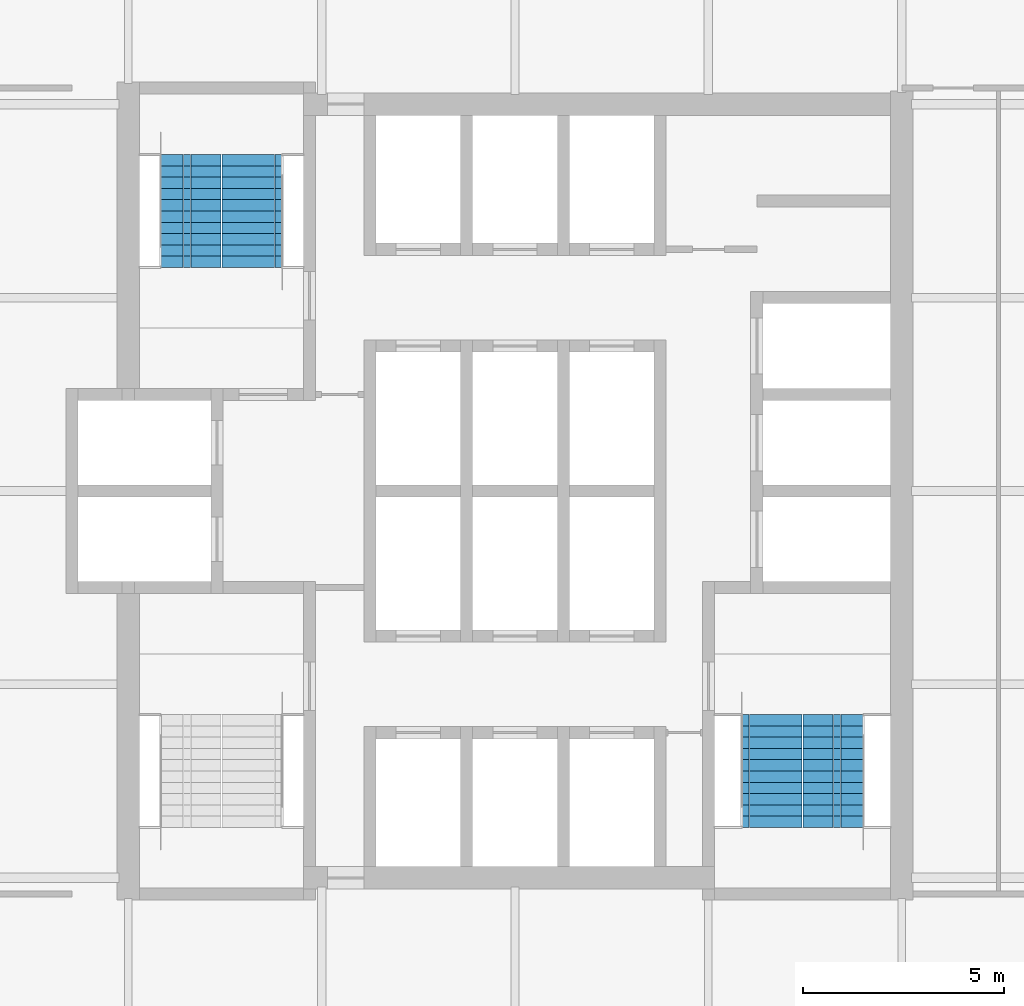
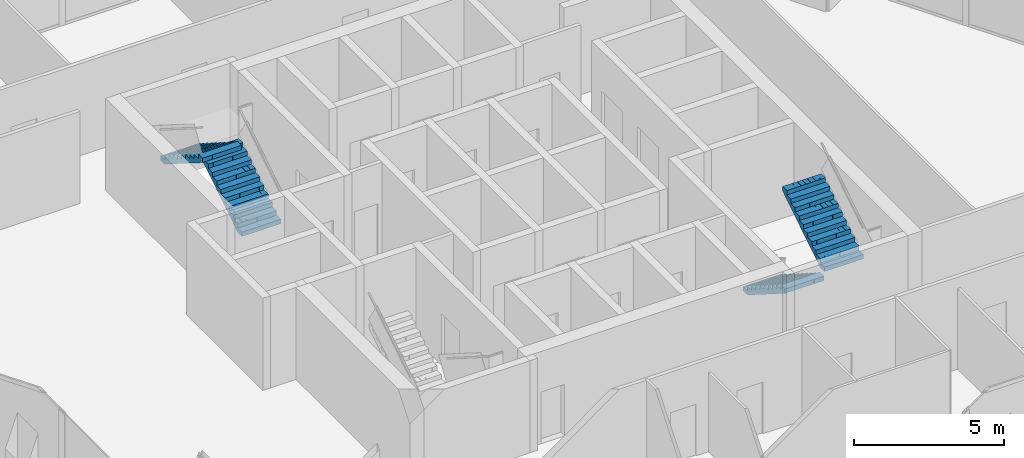
# One storey, part 11 of 13: 4 stair flights, 2 elements without a shape of their own.
"""IFC4 building model written with IfcOpenShell, lengths in metres."""

from ifc_helpers import new_model, si_unit, direction, frame, origin, place, context, subcontext, project, spatial, polyline, outline, extrude, material, type_object, element, aggregate, save


model = new_model("IFC4")

# Units and contexts
model_context = context("Model", 3, precision=1e-05, world=origin(), true_north=direction((0.0, 1.0)))
body_context = subcontext(model_context, "Body", "Model", "MODEL_VIEW")
ifc_project = project(units=[si_unit("LENGTHUNIT", "METRE"), si_unit("AREAUNIT", "SQUARE_METRE"), si_unit("VOLUMEUNIT", "CUBIC_METRE"), si_unit("PLANEANGLEUNIT", "RADIAN"), si_unit("MASSUNIT", "GRAM", prefix="KILO")], contexts=[model_context])

# Site, building, storey
site_placement = place(None, origin())
site = spatial("IfcSite", under=ifc_project, at=site_placement, CompositionType="ELEMENT")
building_placement = place(site_placement, origin())
building = spatial("IfcBuilding", under=site, at=building_placement, Name="Kolab Exchange Tower", CompositionType="ELEMENT")
storey_placement = place(building_placement, frame((0.0, 0.0, 257.89990234375)))
storey = spatial("IfcBuildingStorey", under=building, at=storey_placement, Name="L57", CompositionType="ELEMENT", Elevation=257.89990234375)

# Stair, stair flights
ifc_material = material(Name="Concrete C50/60", Category="concrete")
stair_type_1 = type_object("IfcStairType", Name="STAIR ST1 RISER 177.3", PredefinedType="HALF_TURN_STAIR", material=ifc_material)
stair_1_placement = place(storey_placement, origin())
stair_1 = element("IfcStair", 1, at=stair_1_placement, inside=storey, type_object=stair_type_1, Name="Stair 1", PredefinedType="HALF_TURN_STAIR")
stair_flight_type = type_object("IfcStairFlightType", Name="STAIR FLIGHT 1500 RISER 177.3", PredefinedType="STRAIGHT", material=ifc_material)
stair_flight_1_placement = place(storey_placement, frame((-6.527587890625, 5.550048828125, 0.0), z_axis=(0.0, 0.0, 1.0), x_axis=(0.0, 1.0, 0.0)))
stair_flight_1 = element("IfcStairFlight", 2, at=stair_flight_1_placement, type_object=stair_flight_type, Name="ST1 flight 1", NumberOfRisers=11, NumberOfTreads=10, PredefinedType="STRAIGHT", RiserHeight=0.177272727, TreadLength=0.28, context=body_context, shape_type="SweptSolid", body=[
    extrude(outline(polyline([(0.0, 0.0), (0.0, 0.17724609375), (0.280029296875, 0.17724609375), (0.280029296875, 0.3544921875), (0.56005859375, 0.3544921875), (0.56005859375, 0.53173828125), (0.840087890625, 0.53173828125), (0.840087890625, 0.708984375), (1.1201171875, 0.708984375), (1.1201171875, 0.886474609375), (1.39990234375, 0.886474609375), (1.39990234375, 1.063720703125), (1.679931640625, 1.063720703125), (1.679931640625, 1.240966796875), (1.9599609375, 1.240966796875), (1.9599609375, 1.418212890625), (2.239990234375, 1.418212890625), (2.239990234375, 1.595458984375), (2.52001953125, 1.595458984375), (2.52001953125, 1.772705078125), (2.800048828125, 1.772705078125), (2.800048828125, 1.949951171875), (2.800048828125, 1.59521484375), (0.2802734375, 0.0), (0.0, 0.0)])), frame((0.0, 0.75, 0.0), z_axis=(0.0, -1.0, 0.0), x_axis=(1.0, 0.0, 0.0)), (0.0, 0.0, 1.0), 0.185791015625),
    extrude(outline(polyline([(0.0, 0.0), (0.0, 0.17724609375), (0.280029296875, 0.17724609375), (0.280029296875, 0.3544921875), (0.56005859375, 0.3544921875), (0.56005859375, 0.53173828125), (0.840087890625, 0.53173828125), (0.840087890625, 0.708984375), (1.1201171875, 0.708984375), (1.1201171875, 0.886474609375), (1.39990234375, 0.886474609375), (1.39990234375, 1.063720703125), (1.679931640625, 1.063720703125), (1.679931640625, 1.240966796875), (1.9599609375, 1.240966796875), (1.9599609375, 1.418212890625), (2.239990234375, 1.418212890625), (2.239990234375, 1.595458984375), (2.52001953125, 1.595458984375), (2.52001953125, 1.772705078125), (2.800048828125, 1.772705078125), (2.800048828125, 1.949951171875), (2.800048828125, 1.59521484375), (0.2802734375, 0.0), (0.0, 0.0)])), frame((0.0, 0.562255859375, 0.0), z_axis=(0.0, -1.0, 0.0), x_axis=(1.0, 0.0, 0.0)), (0.0, 0.0, 1.0), 0.185791015625),
    extrude(outline(polyline([(0.0, 0.0), (0.0, 0.17724609375), (0.280029296875, 0.17724609375), (0.280029296875, 0.3544921875), (0.56005859375, 0.3544921875), (0.56005859375, 0.53173828125), (0.840087890625, 0.53173828125), (0.840087890625, 0.708984375), (1.1201171875, 0.708984375), (1.1201171875, 0.886474609375), (1.39990234375, 0.886474609375), (1.39990234375, 1.063720703125), (1.679931640625, 1.063720703125), (1.679931640625, 1.240966796875), (1.9599609375, 1.240966796875), (1.9599609375, 1.418212890625), (2.239990234375, 1.418212890625), (2.239990234375, 1.595458984375), (2.52001953125, 1.595458984375), (2.52001953125, 1.772705078125), (2.800048828125, 1.772705078125), (2.800048828125, 1.949951171875), (2.800048828125, 1.59521484375), (0.2802734375, 0.0), (0.0, 0.0)])), frame((0.0, 0.37451171875, 0.0), z_axis=(0.0, -1.0, 0.0), x_axis=(1.0, 0.0, 0.0)), (0.0, 0.0, 1.0), 0.185791015625),
    extrude(outline(polyline([(0.0, 0.0), (0.0, 0.17724609375), (0.280029296875, 0.17724609375), (0.280029296875, 0.3544921875), (0.56005859375, 0.3544921875), (0.56005859375, 0.53173828125), (0.840087890625, 0.53173828125), (0.840087890625, 0.708984375), (1.1201171875, 0.708984375), (1.1201171875, 0.886474609375), (1.39990234375, 0.886474609375), (1.39990234375, 1.063720703125), (1.679931640625, 1.063720703125), (1.679931640625, 1.240966796875), (1.9599609375, 1.240966796875), (1.9599609375, 1.418212890625), (2.239990234375, 1.418212890625), (2.239990234375, 1.595458984375), (2.52001953125, 1.595458984375), (2.52001953125, 1.772705078125), (2.800048828125, 1.772705078125), (2.800048828125, 1.949951171875), (2.800048828125, 1.59521484375), (0.2802734375, 0.0), (0.0, 0.0)])), frame((0.0, 0.186767578125, 0.0), z_axis=(0.0, -1.0, 0.0), x_axis=(1.0, 0.0, 0.0)), (0.0, 0.0, 1.0), 0.185791015625),
    extrude(outline(polyline([(0.0, 0.0), (0.0, 0.17724609375), (0.280029296875, 0.17724609375), (0.280029296875, 0.3544921875), (0.56005859375, 0.3544921875), (0.56005859375, 0.53173828125), (0.840087890625, 0.53173828125), (0.840087890625, 0.708984375), (1.1201171875, 0.708984375), (1.1201171875, 0.886474609375), (1.39990234375, 0.886474609375), (1.39990234375, 1.063720703125), (1.679931640625, 1.063720703125), (1.679931640625, 1.240966796875), (1.9599609375, 1.240966796875), (1.9599609375, 1.418212890625), (2.239990234375, 1.418212890625), (2.239990234375, 1.595458984375), (2.52001953125, 1.595458984375), (2.52001953125, 1.772705078125), (2.800048828125, 1.772705078125), (2.800048828125, 1.949951171875), (2.800048828125, 1.59521484375), (0.2802734375, 0.0), (0.0, 0.0)])), frame((0.0, -0.0009765625, 0.0), z_axis=(0.0, -1.0, 0.0), x_axis=(1.0, 0.0, 0.0)), (0.0, 0.0, 1.0), 0.185791015625),
    extrude(outline(polyline([(0.0, 0.0), (0.0, 0.17724609375), (0.280029296875, 0.17724609375), (0.280029296875, 0.3544921875), (0.56005859375, 0.3544921875), (0.56005859375, 0.53173828125), (0.840087890625, 0.53173828125), (0.840087890625, 0.708984375), (1.1201171875, 0.708984375), (1.1201171875, 0.886474609375), (1.39990234375, 0.886474609375), (1.39990234375, 1.063720703125), (1.679931640625, 1.063720703125), (1.679931640625, 1.240966796875), (1.9599609375, 1.240966796875), (1.9599609375, 1.418212890625), (2.239990234375, 1.418212890625), (2.239990234375, 1.595458984375), (2.52001953125, 1.595458984375), (2.52001953125, 1.772705078125), (2.800048828125, 1.772705078125), (2.800048828125, 1.949951171875), (2.800048828125, 1.59521484375), (0.2802734375, 0.0), (0.0, 0.0)])), frame((0.0, -0.188720703125, 0.0), z_axis=(0.0, -1.0, 0.0), x_axis=(1.0, 0.0, 0.0)), (0.0, 0.0, 1.0), 0.185791015625),
    extrude(outline(polyline([(0.0, 0.0), (0.0, 0.17724609375), (0.280029296875, 0.17724609375), (0.280029296875, 0.3544921875), (0.56005859375, 0.3544921875), (0.56005859375, 0.53173828125), (0.840087890625, 0.53173828125), (0.840087890625, 0.708984375), (1.1201171875, 0.708984375), (1.1201171875, 0.886474609375), (1.39990234375, 0.886474609375), (1.39990234375, 1.063720703125), (1.679931640625, 1.063720703125), (1.679931640625, 1.240966796875), (1.9599609375, 1.240966796875), (1.9599609375, 1.418212890625), (2.239990234375, 1.418212890625), (2.239990234375, 1.595458984375), (2.52001953125, 1.595458984375), (2.52001953125, 1.772705078125), (2.800048828125, 1.772705078125), (2.800048828125, 1.949951171875), (2.800048828125, 1.59521484375), (0.2802734375, 0.0), (0.0, 0.0)])), frame((0.0, -0.37646484375, 0.0), z_axis=(0.0, -1.0, 0.0), x_axis=(1.0, 0.0, 0.0)), (0.0, 0.0, 1.0), 0.185791015625),
    extrude(outline(polyline([(0.0, 0.0), (0.0, 0.17724609375), (0.280029296875, 0.17724609375), (0.280029296875, 0.3544921875), (0.56005859375, 0.3544921875), (0.56005859375, 0.53173828125), (0.840087890625, 0.53173828125), (0.840087890625, 0.708984375), (1.1201171875, 0.708984375), (1.1201171875, 0.886474609375), (1.39990234375, 0.886474609375), (1.39990234375, 1.063720703125), (1.679931640625, 1.063720703125), (1.679931640625, 1.240966796875), (1.9599609375, 1.240966796875), (1.9599609375, 1.418212890625), (2.239990234375, 1.418212890625), (2.239990234375, 1.595458984375), (2.52001953125, 1.595458984375), (2.52001953125, 1.772705078125), (2.800048828125, 1.772705078125), (2.800048828125, 1.949951171875), (2.800048828125, 1.59521484375), (0.2802734375, 0.0), (0.0, 0.0)])), frame((0.0, -0.564208984375, 0.0), z_axis=(0.0, -1.0, 0.0), x_axis=(1.0, 0.0, 0.0)), (0.0, 0.0, 1.0), 0.185791015625),
])
stair_flight_2_placement = place(storey_placement, frame((-8.047607421875, 8.35009765625, 1.9501953125), z_axis=(0.0, 0.0, 1.0), x_axis=(0.0, -1.0, 0.0)))
stair_flight_2 = element("IfcStairFlight", 3, at=stair_flight_2_placement, type_object=stair_flight_type, Name="ST1 flight 2", NumberOfRisers=11, NumberOfTreads=10, PredefinedType="STRAIGHT", RiserHeight=0.177272727, TreadLength=0.28, context=body_context, shape_type="SweptSolid", body=[
    extrude(outline(polyline([(0.0, 0.0), (0.0, 0.17724609375), (0.280029296875, 0.17724609375), (0.280029296875, 0.3544921875), (0.56005859375, 0.3544921875), (0.56005859375, 0.53173828125), (0.840087890625, 0.53173828125), (0.840087890625, 0.708984375), (1.1201171875, 0.708984375), (1.1201171875, 0.886474609375), (1.39990234375, 0.886474609375), (1.39990234375, 1.063720703125), (1.679931640625, 1.063720703125), (1.679931640625, 1.240966796875), (1.9599609375, 1.240966796875), (1.9599609375, 1.418212890625), (2.239990234375, 1.418212890625), (2.239990234375, 1.595458984375), (2.52001953125, 1.595458984375), (2.52001953125, 1.772705078125), (2.800048828125, 1.772705078125), (2.800048828125, 1.949951171875), (2.800048828125, 1.59521484375), (0.2802734375, 0.0), (0.0, 0.0)])), frame((0.0, 0.75, 0.0), z_axis=(0.0, -1.0, 0.0), x_axis=(1.0, 0.0, 0.0)), (0.0, 0.0, 1.0), 0.185791015625),
    extrude(outline(polyline([(0.0, 0.0), (0.0, 0.17724609375), (0.280029296875, 0.17724609375), (0.280029296875, 0.3544921875), (0.56005859375, 0.3544921875), (0.56005859375, 0.53173828125), (0.840087890625, 0.53173828125), (0.840087890625, 0.708984375), (1.1201171875, 0.708984375), (1.1201171875, 0.886474609375), (1.39990234375, 0.886474609375), (1.39990234375, 1.063720703125), (1.679931640625, 1.063720703125), (1.679931640625, 1.240966796875), (1.9599609375, 1.240966796875), (1.9599609375, 1.418212890625), (2.239990234375, 1.418212890625), (2.239990234375, 1.595458984375), (2.52001953125, 1.595458984375), (2.52001953125, 1.772705078125), (2.800048828125, 1.772705078125), (2.800048828125, 1.949951171875), (2.800048828125, 1.59521484375), (0.2802734375, 0.0), (0.0, 0.0)])), frame((0.0, 0.562255859375, 0.0), z_axis=(0.0, -1.0, 0.0), x_axis=(1.0, 0.0, 0.0)), (0.0, 0.0, 1.0), 0.185791015625),
    extrude(outline(polyline([(0.0, 0.0), (0.0, 0.17724609375), (0.280029296875, 0.17724609375), (0.280029296875, 0.3544921875), (0.56005859375, 0.3544921875), (0.56005859375, 0.53173828125), (0.840087890625, 0.53173828125), (0.840087890625, 0.708984375), (1.1201171875, 0.708984375), (1.1201171875, 0.886474609375), (1.39990234375, 0.886474609375), (1.39990234375, 1.063720703125), (1.679931640625, 1.063720703125), (1.679931640625, 1.240966796875), (1.9599609375, 1.240966796875), (1.9599609375, 1.418212890625), (2.239990234375, 1.418212890625), (2.239990234375, 1.595458984375), (2.52001953125, 1.595458984375), (2.52001953125, 1.772705078125), (2.800048828125, 1.772705078125), (2.800048828125, 1.949951171875), (2.800048828125, 1.59521484375), (0.2802734375, 0.0), (0.0, 0.0)])), frame((0.0, 0.37451171875, 0.0), z_axis=(0.0, -1.0, 0.0), x_axis=(1.0, 0.0, 0.0)), (0.0, 0.0, 1.0), 0.185791015625),
    extrude(outline(polyline([(0.0, 0.0), (0.0, 0.17724609375), (0.280029296875, 0.17724609375), (0.280029296875, 0.3544921875), (0.56005859375, 0.3544921875), (0.56005859375, 0.53173828125), (0.840087890625, 0.53173828125), (0.840087890625, 0.708984375), (1.1201171875, 0.708984375), (1.1201171875, 0.886474609375), (1.39990234375, 0.886474609375), (1.39990234375, 1.063720703125), (1.679931640625, 1.063720703125), (1.679931640625, 1.240966796875), (1.9599609375, 1.240966796875), (1.9599609375, 1.418212890625), (2.239990234375, 1.418212890625), (2.239990234375, 1.595458984375), (2.52001953125, 1.595458984375), (2.52001953125, 1.772705078125), (2.800048828125, 1.772705078125), (2.800048828125, 1.949951171875), (2.800048828125, 1.59521484375), (0.2802734375, 0.0), (0.0, 0.0)])), frame((0.0, 0.186767578125, 0.0), z_axis=(0.0, -1.0, 0.0), x_axis=(1.0, 0.0, 0.0)), (0.0, 0.0, 1.0), 0.185791015625),
    extrude(outline(polyline([(0.0, 0.0), (0.0, 0.17724609375), (0.280029296875, 0.17724609375), (0.280029296875, 0.3544921875), (0.56005859375, 0.3544921875), (0.56005859375, 0.53173828125), (0.840087890625, 0.53173828125), (0.840087890625, 0.708984375), (1.1201171875, 0.708984375), (1.1201171875, 0.886474609375), (1.39990234375, 0.886474609375), (1.39990234375, 1.063720703125), (1.679931640625, 1.063720703125), (1.679931640625, 1.240966796875), (1.9599609375, 1.240966796875), (1.9599609375, 1.418212890625), (2.239990234375, 1.418212890625), (2.239990234375, 1.595458984375), (2.52001953125, 1.595458984375), (2.52001953125, 1.772705078125), (2.800048828125, 1.772705078125), (2.800048828125, 1.949951171875), (2.800048828125, 1.59521484375), (0.2802734375, 0.0), (0.0, 0.0)])), frame((0.0, -0.0009765625, 0.0), z_axis=(0.0, -1.0, 0.0), x_axis=(1.0, 0.0, 0.0)), (0.0, 0.0, 1.0), 0.185791015625),
    extrude(outline(polyline([(0.0, 0.0), (0.0, 0.17724609375), (0.280029296875, 0.17724609375), (0.280029296875, 0.3544921875), (0.56005859375, 0.3544921875), (0.56005859375, 0.53173828125), (0.840087890625, 0.53173828125), (0.840087890625, 0.708984375), (1.1201171875, 0.708984375), (1.1201171875, 0.886474609375), (1.39990234375, 0.886474609375), (1.39990234375, 1.063720703125), (1.679931640625, 1.063720703125), (1.679931640625, 1.240966796875), (1.9599609375, 1.240966796875), (1.9599609375, 1.418212890625), (2.239990234375, 1.418212890625), (2.239990234375, 1.595458984375), (2.52001953125, 1.595458984375), (2.52001953125, 1.772705078125), (2.800048828125, 1.772705078125), (2.800048828125, 1.949951171875), (2.800048828125, 1.59521484375), (0.2802734375, 0.0), (0.0, 0.0)])), frame((0.0, -0.188720703125, 0.0), z_axis=(0.0, -1.0, 0.0), x_axis=(1.0, 0.0, 0.0)), (0.0, 0.0, 1.0), 0.185791015625),
    extrude(outline(polyline([(0.0, 0.0), (0.0, 0.17724609375), (0.280029296875, 0.17724609375), (0.280029296875, 0.3544921875), (0.56005859375, 0.3544921875), (0.56005859375, 0.53173828125), (0.840087890625, 0.53173828125), (0.840087890625, 0.708984375), (1.1201171875, 0.708984375), (1.1201171875, 0.886474609375), (1.39990234375, 0.886474609375), (1.39990234375, 1.063720703125), (1.679931640625, 1.063720703125), (1.679931640625, 1.240966796875), (1.9599609375, 1.240966796875), (1.9599609375, 1.418212890625), (2.239990234375, 1.418212890625), (2.239990234375, 1.595458984375), (2.52001953125, 1.595458984375), (2.52001953125, 1.772705078125), (2.800048828125, 1.772705078125), (2.800048828125, 1.949951171875), (2.800048828125, 1.59521484375), (0.2802734375, 0.0), (0.0, 0.0)])), frame((0.0, -0.37646484375, 0.0), z_axis=(0.0, -1.0, 0.0), x_axis=(1.0, 0.0, 0.0)), (0.0, 0.0, 1.0), 0.185791015625),
    extrude(outline(polyline([(0.0, 0.0), (0.0, 0.17724609375), (0.280029296875, 0.17724609375), (0.280029296875, 0.3544921875), (0.56005859375, 0.3544921875), (0.56005859375, 0.53173828125), (0.840087890625, 0.53173828125), (0.840087890625, 0.708984375), (1.1201171875, 0.708984375), (1.1201171875, 0.886474609375), (1.39990234375, 0.886474609375), (1.39990234375, 1.063720703125), (1.679931640625, 1.063720703125), (1.679931640625, 1.240966796875), (1.9599609375, 1.240966796875), (1.9599609375, 1.418212890625), (2.239990234375, 1.418212890625), (2.239990234375, 1.595458984375), (2.52001953125, 1.595458984375), (2.52001953125, 1.772705078125), (2.800048828125, 1.772705078125), (2.800048828125, 1.949951171875), (2.800048828125, 1.59521484375), (0.2802734375, 0.0), (0.0, 0.0)])), frame((0.0, -0.564208984375, 0.0), z_axis=(0.0, -1.0, 0.0), x_axis=(1.0, 0.0, 0.0)), (0.0, 0.0, 1.0), 0.185791015625),
])
aggregate(stair_1, [stair_flight_1, stair_flight_2])

stair_type_2 = type_object("IfcStairType", Name="STAIR ST2 RISER 177.3", PredefinedType="HALF_TURN_STAIR", material=ifc_material)
stair_2_placement = place(storey_placement, origin())
stair_2 = element("IfcStair", 4, at=stair_2_placement, inside=storey, type_object=stair_type_2, Name="Stair 2", PredefinedType="HALF_TURN_STAIR")
stair_flight_3_placement = place(storey_placement, frame((6.37744140625, -5.550048828125, 0.0), z_axis=(0.0, 0.0, 1.0), x_axis=(0.0, -1.0, 0.0)))
stair_flight_3 = element("IfcStairFlight", 5, at=stair_flight_3_placement, type_object=stair_flight_type, Name="ST2 flight 1", NumberOfRisers=11, NumberOfTreads=10, PredefinedType="STRAIGHT", RiserHeight=0.177272727, TreadLength=0.28, context=body_context, shape_type="SweptSolid", body=[
    extrude(outline(polyline([(0.0, 0.0), (0.0, 0.17724609375), (0.280029296875, 0.17724609375), (0.280029296875, 0.3544921875), (0.56005859375, 0.3544921875), (0.56005859375, 0.53173828125), (0.840087890625, 0.53173828125), (0.840087890625, 0.708984375), (1.1201171875, 0.708984375), (1.1201171875, 0.886474609375), (1.39990234375, 0.886474609375), (1.39990234375, 1.063720703125), (1.679931640625, 1.063720703125), (1.679931640625, 1.240966796875), (1.9599609375, 1.240966796875), (1.9599609375, 1.418212890625), (2.239990234375, 1.418212890625), (2.239990234375, 1.595458984375), (2.52001953125, 1.595458984375), (2.52001953125, 1.772705078125), (2.800048828125, 1.772705078125), (2.800048828125, 1.949951171875), (2.800048828125, 1.59521484375), (0.2802734375, 0.0), (0.0, 0.0)])), frame((0.0, 0.75, 0.0), z_axis=(0.0, -1.0, 0.0), x_axis=(1.0, 0.0, 0.0)), (0.0, 0.0, 1.0), 0.185791015625),
    extrude(outline(polyline([(0.0, 0.0), (0.0, 0.17724609375), (0.280029296875, 0.17724609375), (0.280029296875, 0.3544921875), (0.56005859375, 0.3544921875), (0.56005859375, 0.53173828125), (0.840087890625, 0.53173828125), (0.840087890625, 0.708984375), (1.1201171875, 0.708984375), (1.1201171875, 0.886474609375), (1.39990234375, 0.886474609375), (1.39990234375, 1.063720703125), (1.679931640625, 1.063720703125), (1.679931640625, 1.240966796875), (1.9599609375, 1.240966796875), (1.9599609375, 1.418212890625), (2.239990234375, 1.418212890625), (2.239990234375, 1.595458984375), (2.52001953125, 1.595458984375), (2.52001953125, 1.772705078125), (2.800048828125, 1.772705078125), (2.800048828125, 1.949951171875), (2.800048828125, 1.59521484375), (0.2802734375, 0.0), (0.0, 0.0)])), frame((0.0, 0.562255859375, 0.0), z_axis=(0.0, -1.0, 0.0), x_axis=(1.0, 0.0, 0.0)), (0.0, 0.0, 1.0), 0.185791015625),
    extrude(outline(polyline([(0.0, 0.0), (0.0, 0.17724609375), (0.280029296875, 0.17724609375), (0.280029296875, 0.3544921875), (0.56005859375, 0.3544921875), (0.56005859375, 0.53173828125), (0.840087890625, 0.53173828125), (0.840087890625, 0.708984375), (1.1201171875, 0.708984375), (1.1201171875, 0.886474609375), (1.39990234375, 0.886474609375), (1.39990234375, 1.063720703125), (1.679931640625, 1.063720703125), (1.679931640625, 1.240966796875), (1.9599609375, 1.240966796875), (1.9599609375, 1.418212890625), (2.239990234375, 1.418212890625), (2.239990234375, 1.595458984375), (2.52001953125, 1.595458984375), (2.52001953125, 1.772705078125), (2.800048828125, 1.772705078125), (2.800048828125, 1.949951171875), (2.800048828125, 1.59521484375), (0.2802734375, 0.0), (0.0, 0.0)])), frame((0.0, 0.37451171875, 0.0), z_axis=(0.0, -1.0, 0.0), x_axis=(1.0, 0.0, 0.0)), (0.0, 0.0, 1.0), 0.185791015625),
    extrude(outline(polyline([(0.0, 0.0), (0.0, 0.17724609375), (0.280029296875, 0.17724609375), (0.280029296875, 0.3544921875), (0.56005859375, 0.3544921875), (0.56005859375, 0.53173828125), (0.840087890625, 0.53173828125), (0.840087890625, 0.708984375), (1.1201171875, 0.708984375), (1.1201171875, 0.886474609375), (1.39990234375, 0.886474609375), (1.39990234375, 1.063720703125), (1.679931640625, 1.063720703125), (1.679931640625, 1.240966796875), (1.9599609375, 1.240966796875), (1.9599609375, 1.418212890625), (2.239990234375, 1.418212890625), (2.239990234375, 1.595458984375), (2.52001953125, 1.595458984375), (2.52001953125, 1.772705078125), (2.800048828125, 1.772705078125), (2.800048828125, 1.949951171875), (2.800048828125, 1.59521484375), (0.2802734375, 0.0), (0.0, 0.0)])), frame((0.0, 0.186767578125, 0.0), z_axis=(0.0, -1.0, 0.0), x_axis=(1.0, 0.0, 0.0)), (0.0, 0.0, 1.0), 0.185791015625),
    extrude(outline(polyline([(0.0, 0.0), (0.0, 0.17724609375), (0.280029296875, 0.17724609375), (0.280029296875, 0.3544921875), (0.56005859375, 0.3544921875), (0.56005859375, 0.53173828125), (0.840087890625, 0.53173828125), (0.840087890625, 0.708984375), (1.1201171875, 0.708984375), (1.1201171875, 0.886474609375), (1.39990234375, 0.886474609375), (1.39990234375, 1.063720703125), (1.679931640625, 1.063720703125), (1.679931640625, 1.240966796875), (1.9599609375, 1.240966796875), (1.9599609375, 1.418212890625), (2.239990234375, 1.418212890625), (2.239990234375, 1.595458984375), (2.52001953125, 1.595458984375), (2.52001953125, 1.772705078125), (2.800048828125, 1.772705078125), (2.800048828125, 1.949951171875), (2.800048828125, 1.59521484375), (0.2802734375, 0.0), (0.0, 0.0)])), frame((0.0, -0.0009765625, 0.0), z_axis=(0.0, -1.0, 0.0), x_axis=(1.0, 0.0, 0.0)), (0.0, 0.0, 1.0), 0.185791015625),
    extrude(outline(polyline([(0.0, 0.0), (0.0, 0.17724609375), (0.280029296875, 0.17724609375), (0.280029296875, 0.3544921875), (0.56005859375, 0.3544921875), (0.56005859375, 0.53173828125), (0.840087890625, 0.53173828125), (0.840087890625, 0.708984375), (1.1201171875, 0.708984375), (1.1201171875, 0.886474609375), (1.39990234375, 0.886474609375), (1.39990234375, 1.063720703125), (1.679931640625, 1.063720703125), (1.679931640625, 1.240966796875), (1.9599609375, 1.240966796875), (1.9599609375, 1.418212890625), (2.239990234375, 1.418212890625), (2.239990234375, 1.595458984375), (2.52001953125, 1.595458984375), (2.52001953125, 1.772705078125), (2.800048828125, 1.772705078125), (2.800048828125, 1.949951171875), (2.800048828125, 1.59521484375), (0.2802734375, 0.0), (0.0, 0.0)])), frame((0.0, -0.188720703125, 0.0), z_axis=(0.0, -1.0, 0.0), x_axis=(1.0, 0.0, 0.0)), (0.0, 0.0, 1.0), 0.185791015625),
    extrude(outline(polyline([(0.0, 0.0), (0.0, 0.17724609375), (0.280029296875, 0.17724609375), (0.280029296875, 0.3544921875), (0.56005859375, 0.3544921875), (0.56005859375, 0.53173828125), (0.840087890625, 0.53173828125), (0.840087890625, 0.708984375), (1.1201171875, 0.708984375), (1.1201171875, 0.886474609375), (1.39990234375, 0.886474609375), (1.39990234375, 1.063720703125), (1.679931640625, 1.063720703125), (1.679931640625, 1.240966796875), (1.9599609375, 1.240966796875), (1.9599609375, 1.418212890625), (2.239990234375, 1.418212890625), (2.239990234375, 1.595458984375), (2.52001953125, 1.595458984375), (2.52001953125, 1.772705078125), (2.800048828125, 1.772705078125), (2.800048828125, 1.949951171875), (2.800048828125, 1.59521484375), (0.2802734375, 0.0), (0.0, 0.0)])), frame((0.0, -0.37646484375, 0.0), z_axis=(0.0, -1.0, 0.0), x_axis=(1.0, 0.0, 0.0)), (0.0, 0.0, 1.0), 0.185791015625),
    extrude(outline(polyline([(0.0, 0.0), (0.0, 0.17724609375), (0.280029296875, 0.17724609375), (0.280029296875, 0.3544921875), (0.56005859375, 0.3544921875), (0.56005859375, 0.53173828125), (0.840087890625, 0.53173828125), (0.840087890625, 0.708984375), (1.1201171875, 0.708984375), (1.1201171875, 0.886474609375), (1.39990234375, 0.886474609375), (1.39990234375, 1.063720703125), (1.679931640625, 1.063720703125), (1.679931640625, 1.240966796875), (1.9599609375, 1.240966796875), (1.9599609375, 1.418212890625), (2.239990234375, 1.418212890625), (2.239990234375, 1.595458984375), (2.52001953125, 1.595458984375), (2.52001953125, 1.772705078125), (2.800048828125, 1.772705078125), (2.800048828125, 1.949951171875), (2.800048828125, 1.59521484375), (0.2802734375, 0.0), (0.0, 0.0)])), frame((0.0, -0.564208984375, 0.0), z_axis=(0.0, -1.0, 0.0), x_axis=(1.0, 0.0, 0.0)), (0.0, 0.0, 1.0), 0.185791015625),
])
stair_flight_4_placement = place(storey_placement, frame((7.8974609375, -8.35009765625, 1.9501953125), z_axis=(0.0, 0.0, 1.0), x_axis=(0.0, 1.0, 0.0)))
stair_flight_4 = element("IfcStairFlight", 6, at=stair_flight_4_placement, type_object=stair_flight_type, Name="ST2 flight 2", NumberOfRisers=11, NumberOfTreads=10, PredefinedType="STRAIGHT", RiserHeight=0.177272727, TreadLength=0.28, context=body_context, shape_type="SweptSolid", body=[
    extrude(outline(polyline([(0.0, 0.0), (0.0, 0.17724609375), (0.280029296875, 0.17724609375), (0.280029296875, 0.3544921875), (0.56005859375, 0.3544921875), (0.56005859375, 0.53173828125), (0.840087890625, 0.53173828125), (0.840087890625, 0.708984375), (1.1201171875, 0.708984375), (1.1201171875, 0.886474609375), (1.39990234375, 0.886474609375), (1.39990234375, 1.063720703125), (1.679931640625, 1.063720703125), (1.679931640625, 1.240966796875), (1.9599609375, 1.240966796875), (1.9599609375, 1.418212890625), (2.239990234375, 1.418212890625), (2.239990234375, 1.595458984375), (2.52001953125, 1.595458984375), (2.52001953125, 1.772705078125), (2.800048828125, 1.772705078125), (2.800048828125, 1.949951171875), (2.800048828125, 1.59521484375), (0.2802734375, 0.0), (0.0, 0.0)])), frame((0.0, 0.75, 0.0), z_axis=(0.0, -1.0, 0.0), x_axis=(1.0, 0.0, 0.0)), (0.0, 0.0, 1.0), 0.185791015625),
    extrude(outline(polyline([(0.0, 0.0), (0.0, 0.17724609375), (0.280029296875, 0.17724609375), (0.280029296875, 0.3544921875), (0.56005859375, 0.3544921875), (0.56005859375, 0.53173828125), (0.840087890625, 0.53173828125), (0.840087890625, 0.708984375), (1.1201171875, 0.708984375), (1.1201171875, 0.886474609375), (1.39990234375, 0.886474609375), (1.39990234375, 1.063720703125), (1.679931640625, 1.063720703125), (1.679931640625, 1.240966796875), (1.9599609375, 1.240966796875), (1.9599609375, 1.418212890625), (2.239990234375, 1.418212890625), (2.239990234375, 1.595458984375), (2.52001953125, 1.595458984375), (2.52001953125, 1.772705078125), (2.800048828125, 1.772705078125), (2.800048828125, 1.949951171875), (2.800048828125, 1.59521484375), (0.2802734375, 0.0), (0.0, 0.0)])), frame((0.0, 0.562255859375, 0.0), z_axis=(0.0, -1.0, 0.0), x_axis=(1.0, 0.0, 0.0)), (0.0, 0.0, 1.0), 0.185791015625),
    extrude(outline(polyline([(0.0, 0.0), (0.0, 0.17724609375), (0.280029296875, 0.17724609375), (0.280029296875, 0.3544921875), (0.56005859375, 0.3544921875), (0.56005859375, 0.53173828125), (0.840087890625, 0.53173828125), (0.840087890625, 0.708984375), (1.1201171875, 0.708984375), (1.1201171875, 0.886474609375), (1.39990234375, 0.886474609375), (1.39990234375, 1.063720703125), (1.679931640625, 1.063720703125), (1.679931640625, 1.240966796875), (1.9599609375, 1.240966796875), (1.9599609375, 1.418212890625), (2.239990234375, 1.418212890625), (2.239990234375, 1.595458984375), (2.52001953125, 1.595458984375), (2.52001953125, 1.772705078125), (2.800048828125, 1.772705078125), (2.800048828125, 1.949951171875), (2.800048828125, 1.59521484375), (0.2802734375, 0.0), (0.0, 0.0)])), frame((0.0, 0.37451171875, 0.0), z_axis=(0.0, -1.0, 0.0), x_axis=(1.0, 0.0, 0.0)), (0.0, 0.0, 1.0), 0.185791015625),
    extrude(outline(polyline([(0.0, 0.0), (0.0, 0.17724609375), (0.280029296875, 0.17724609375), (0.280029296875, 0.3544921875), (0.56005859375, 0.3544921875), (0.56005859375, 0.53173828125), (0.840087890625, 0.53173828125), (0.840087890625, 0.708984375), (1.1201171875, 0.708984375), (1.1201171875, 0.886474609375), (1.39990234375, 0.886474609375), (1.39990234375, 1.063720703125), (1.679931640625, 1.063720703125), (1.679931640625, 1.240966796875), (1.9599609375, 1.240966796875), (1.9599609375, 1.418212890625), (2.239990234375, 1.418212890625), (2.239990234375, 1.595458984375), (2.52001953125, 1.595458984375), (2.52001953125, 1.772705078125), (2.800048828125, 1.772705078125), (2.800048828125, 1.949951171875), (2.800048828125, 1.59521484375), (0.2802734375, 0.0), (0.0, 0.0)])), frame((0.0, 0.186767578125, 0.0), z_axis=(0.0, -1.0, 0.0), x_axis=(1.0, 0.0, 0.0)), (0.0, 0.0, 1.0), 0.185791015625),
    extrude(outline(polyline([(0.0, 0.0), (0.0, 0.17724609375), (0.280029296875, 0.17724609375), (0.280029296875, 0.3544921875), (0.56005859375, 0.3544921875), (0.56005859375, 0.53173828125), (0.840087890625, 0.53173828125), (0.840087890625, 0.708984375), (1.1201171875, 0.708984375), (1.1201171875, 0.886474609375), (1.39990234375, 0.886474609375), (1.39990234375, 1.063720703125), (1.679931640625, 1.063720703125), (1.679931640625, 1.240966796875), (1.9599609375, 1.240966796875), (1.9599609375, 1.418212890625), (2.239990234375, 1.418212890625), (2.239990234375, 1.595458984375), (2.52001953125, 1.595458984375), (2.52001953125, 1.772705078125), (2.800048828125, 1.772705078125), (2.800048828125, 1.949951171875), (2.800048828125, 1.59521484375), (0.2802734375, 0.0), (0.0, 0.0)])), frame((0.0, -0.0009765625, 0.0), z_axis=(0.0, -1.0, 0.0), x_axis=(1.0, 0.0, 0.0)), (0.0, 0.0, 1.0), 0.185791015625),
    extrude(outline(polyline([(0.0, 0.0), (0.0, 0.17724609375), (0.280029296875, 0.17724609375), (0.280029296875, 0.3544921875), (0.56005859375, 0.3544921875), (0.56005859375, 0.53173828125), (0.840087890625, 0.53173828125), (0.840087890625, 0.708984375), (1.1201171875, 0.708984375), (1.1201171875, 0.886474609375), (1.39990234375, 0.886474609375), (1.39990234375, 1.063720703125), (1.679931640625, 1.063720703125), (1.679931640625, 1.240966796875), (1.9599609375, 1.240966796875), (1.9599609375, 1.418212890625), (2.239990234375, 1.418212890625), (2.239990234375, 1.595458984375), (2.52001953125, 1.595458984375), (2.52001953125, 1.772705078125), (2.800048828125, 1.772705078125), (2.800048828125, 1.949951171875), (2.800048828125, 1.59521484375), (0.2802734375, 0.0), (0.0, 0.0)])), frame((0.0, -0.188720703125, 0.0), z_axis=(0.0, -1.0, 0.0), x_axis=(1.0, 0.0, 0.0)), (0.0, 0.0, 1.0), 0.185791015625),
    extrude(outline(polyline([(0.0, 0.0), (0.0, 0.17724609375), (0.280029296875, 0.17724609375), (0.280029296875, 0.3544921875), (0.56005859375, 0.3544921875), (0.56005859375, 0.53173828125), (0.840087890625, 0.53173828125), (0.840087890625, 0.708984375), (1.1201171875, 0.708984375), (1.1201171875, 0.886474609375), (1.39990234375, 0.886474609375), (1.39990234375, 1.063720703125), (1.679931640625, 1.063720703125), (1.679931640625, 1.240966796875), (1.9599609375, 1.240966796875), (1.9599609375, 1.418212890625), (2.239990234375, 1.418212890625), (2.239990234375, 1.595458984375), (2.52001953125, 1.595458984375), (2.52001953125, 1.772705078125), (2.800048828125, 1.772705078125), (2.800048828125, 1.949951171875), (2.800048828125, 1.59521484375), (0.2802734375, 0.0), (0.0, 0.0)])), frame((0.0, -0.37646484375, 0.0), z_axis=(0.0, -1.0, 0.0), x_axis=(1.0, 0.0, 0.0)), (0.0, 0.0, 1.0), 0.185791015625),
    extrude(outline(polyline([(0.0, 0.0), (0.0, 0.17724609375), (0.280029296875, 0.17724609375), (0.280029296875, 0.3544921875), (0.56005859375, 0.3544921875), (0.56005859375, 0.53173828125), (0.840087890625, 0.53173828125), (0.840087890625, 0.708984375), (1.1201171875, 0.708984375), (1.1201171875, 0.886474609375), (1.39990234375, 0.886474609375), (1.39990234375, 1.063720703125), (1.679931640625, 1.063720703125), (1.679931640625, 1.240966796875), (1.9599609375, 1.240966796875), (1.9599609375, 1.418212890625), (2.239990234375, 1.418212890625), (2.239990234375, 1.595458984375), (2.52001953125, 1.595458984375), (2.52001953125, 1.772705078125), (2.800048828125, 1.772705078125), (2.800048828125, 1.949951171875), (2.800048828125, 1.59521484375), (0.2802734375, 0.0), (0.0, 0.0)])), frame((0.0, -0.564208984375, 0.0), z_axis=(0.0, -1.0, 0.0), x_axis=(1.0, 0.0, 0.0)), (0.0, 0.0, 1.0), 0.185791015625),
])
aggregate(stair_2, [stair_flight_3, stair_flight_4])

save(model, "model.ifc")
